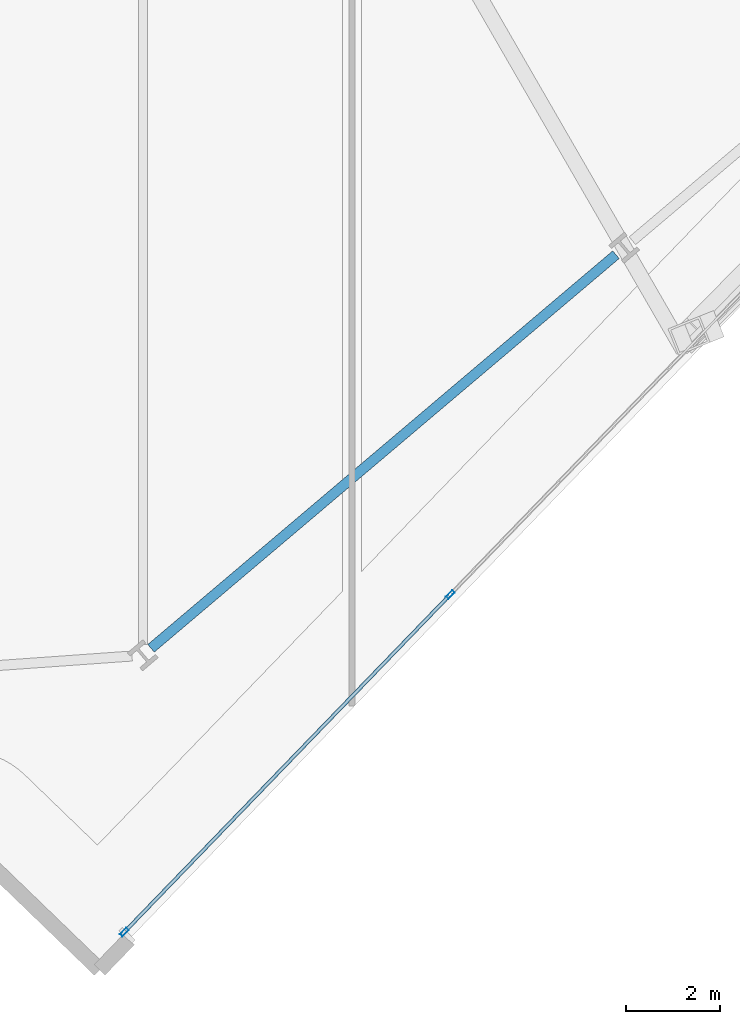
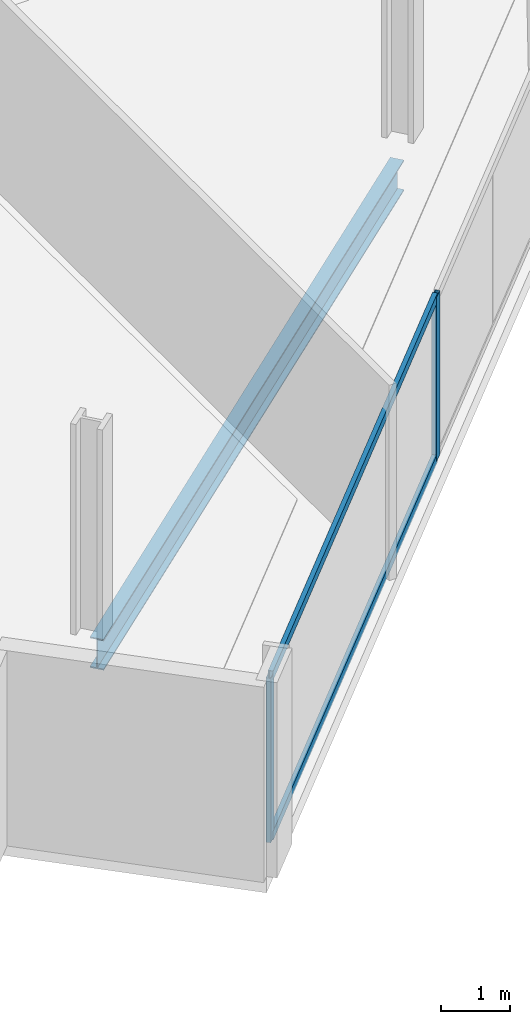
# One storey, part 7 of 33: 4 members, 1 beam, 1 element without a shape of its own.
"""IFC4 building model written with IfcOpenShell, lengths in metres."""

import ifcopenshell
import ifcopenshell.guid

model = None  # the IFC model being written
_history = None  # IfcOwnerHistory: only IFC2X3 demands one
_inside = {}  # id of a spatial element -> (the spatial element, [elements in it])
_under = {}  # id of a project, library or spatial element -> (it, [spatial elements below it])
_declared = {}  # id of a project -> (the project, [libraries it declares])
_typed = {}  # id of a type object -> (the type object, [elements of that type])
_made_of = {}  # id of a material, layer set ... -> (it, [elements and type objects made of it])


def new_model(schema):
    """Start an empty IFC model of exactly this schema.

    Asked for "IFC4X3", IfcOpenShell would pick the latest addendum, in which some entities
    have other attributes; the version numbers below select the first issue.
    IFC2X3 requires an IfcOwnerHistory on every rooted entity: one is made here for all.
    """
    global model, _history
    if schema == "IFC4X3":
        model = ifcopenshell.file(schema_version=(4, 3, 0, 0))
    else:
        model = ifcopenshell.file(schema=schema)
    _inside.clear()
    _under.clear()
    _declared.clear()
    _typed.clear()
    _made_of.clear()
    _history = None
    if model.schema == "IFC2X3":
        org = make("IfcOrganization", Name="unknown")
        user = make(
            "IfcPersonAndOrganization",
            ThePerson=make("IfcPerson", FamilyName="unknown"),
            TheOrganization=org,
        )
        app = make(
            "IfcApplication",
            ApplicationDeveloper=org,
            Version="unknown",
            ApplicationFullName="unknown",
            ApplicationIdentifier="unknown",
        )
        _history = make(
            "IfcOwnerHistory",
            OwningUser=user,
            OwningApplication=app,
            ChangeAction="ADDED",
            CreationDate=0,
        )
    return model


def make(cls, **values):
    """One entity of the class cls with the attributes given. An attribute that is None is left unset."""
    return model.create_entity(
        cls, **{name: value for name, value in values.items() if value is not None}
    )


def rooted(cls, **values):
    """An entity with a GlobalId (a new one), such as an element, a storey or a relation."""
    return make(cls, GlobalId=ifcopenshell.guid.new(), OwnerHistory=_history, **values)


def si_unit(unit_type, name, prefix=None):
    """IfcSIUnit, for example si_unit("LENGTHUNIT", "METRE", prefix="MILLI")."""
    return make("IfcSIUnit", UnitType=unit_type, Prefix=prefix, Name=name)


def assignment(units):
    """IfcUnitAssignment: the units of a project."""
    return None if units is None else make("IfcUnitAssignment", Units=units)


def point(xyz):
    """IfcCartesianPoint."""
    return None if xyz is None else make("IfcCartesianPoint", Coordinates=xyz)


def direction(xyz):
    """IfcDirection."""
    return None if xyz is None else make("IfcDirection", DirectionRatios=xyz)


def frame(location, z_axis=None, x_axis=None):
    """IfcAxis2Placement3D, a coordinate frame: its origin and axes. An axis left out is left unset."""
    return make(
        "IfcAxis2Placement3D",
        Location=point(location),
        Axis=direction(z_axis),
        RefDirection=direction(x_axis),
    )


def frame_2d(location, x_axis=None):
    """IfcAxis2Placement2D, a coordinate frame in the plane: its origin and x axis."""
    return make(
        "IfcAxis2Placement2D", Location=point(location), RefDirection=direction(x_axis)
    )


def origin():
    """The frame at (0, 0, 0) with its axes left unset."""
    return frame((0.0, 0.0, 0.0))


def origin_2d():
    """The frame at (0, 0) in the plane with its x axis left unset."""
    return frame_2d((0.0, 0.0))


def place(relative_to, where):
    """IfcLocalPlacement: puts the frame where relative to a parent placement (None: the world)."""
    return make(
        "IfcLocalPlacement", PlacementRelTo=relative_to, RelativePlacement=where
    )


def context(
    kind, dimensions, precision=None, world=None, true_north=None, identifier=None
):
    """IfcGeometricRepresentationContext, for example the 3D "Model" context."""
    return make(
        "IfcGeometricRepresentationContext",
        ContextIdentifier=identifier,
        ContextType=kind,
        CoordinateSpaceDimension=dimensions,
        Precision=precision,
        WorldCoordinateSystem=world,
        TrueNorth=true_north,
    )


def subcontext(parent, identifier, kind, view, scale=None):
    """IfcGeometricRepresentationSubContext, for example "Body" below "Model"."""
    return make(
        "IfcGeometricRepresentationSubContext",
        ContextIdentifier=identifier,
        ContextType=kind,
        ParentContext=parent,
        TargetScale=scale,
        TargetView=view,
    )


def project(units=None, contexts=None):
    """IfcProject with its units and contexts."""
    return rooted(
        "IfcProject",
        Name="project",
        RepresentationContexts=contexts,
        UnitsInContext=assignment(units),
    )


def spatial(cls, under=None, at=None, **own):
    """A site, building, storey or space (cls), placed at a placement, below another one or the project."""
    s = rooted(cls, ObjectPlacement=at, **own)
    if under is not None:
        _under.setdefault(under.id(), (under, []))[1].append(s)
    return s


def profile(cls, at=None, kind="AREA", **sizes):
    """A parametric profile (cls). Its sizes go by their IFC names, for example OverallWidth=200.0."""
    return make(cls, ProfileType=kind, Position=at, **sizes)


def hollow_rectangle(**sizes):
    """IfcRectangleHollowProfileDef."""
    return profile("IfcRectangleHollowProfileDef", **sizes)


def i_section(**sizes):
    """IfcIShapeProfileDef."""
    return profile("IfcIShapeProfileDef", **sizes)


def extrude(swept, where, along, depth):
    """IfcExtrudedAreaSolid: the profile swept, set in the frame where, extruded along a direction by depth."""
    return make(
        "IfcExtrudedAreaSolid",
        SweptArea=swept,
        Position=where,
        ExtrudedDirection=direction(along),
        Depth=depth,
    )


def shape(context_of_items, identifier, shape_type, items):
    """IfcShapeRepresentation: the items that make up one representation, for example the "Body"."""
    return make(
        "IfcShapeRepresentation",
        ContextOfItems=context_of_items,
        RepresentationIdentifier=identifier,
        RepresentationType=shape_type,
        Items=items,
    )


def material(Name=None, Category=None):
    """IfcMaterial."""
    return make("IfcMaterial", Name=Name, Category=Category)


def material_profile(
    of_material, cross_section, Name=None, Category=None, Priority=None
):
    """IfcMaterialProfile: a cross section and its material."""
    return make(
        "IfcMaterialProfile",
        Name=Name,
        Material=of_material,
        Profile=cross_section,
        Priority=Priority,
        Category=Category,
    )


def profile_set(profiles, Name=None, composite=None):
    """IfcMaterialProfileSet."""
    return make(
        "IfcMaterialProfileSet",
        Name=Name,
        MaterialProfiles=profiles,
        CompositeProfile=composite,
    )


def made_of(thing, what):
    """Note that an element or type object is made of a material, layer set ...; save() writes the relation."""
    if what is not None:
        _made_of.setdefault(what.id(), (what, []))[1].append(thing)
    return thing


def type_object(cls, material=None, **own):
    """A type object (cls), such as IfcWallType, which elements share."""
    return made_of(rooted(cls, **own), material)


def element(
    cls,
    number,
    at=None,
    inside=None,
    cuts=None,
    type_object=None,
    material=None,
    context=None,
    identifier="Body",
    shape_type=None,
    held_by="IfcProductDefinitionShape",
    body=None,
    shapes=None,
    **own,
):
    """One element of the class cls, such as IfcWall. Its Tag is "e" and its number.

    at: its placement. inside: the storey or other place that contains it. cuts: it is an
    opening in that element (IfcRelVoidsElement). A single representation is given by context,
    identifier, shape_type and body (its items); several are given by shapes. held_by: the class
    of the entity that holds the representations. save() writes the other relations.
    """
    e = rooted(cls, Tag="e%d" % number, ObjectPlacement=at, **own)
    if body is not None:
        shapes = [shape(context, identifier, shape_type, body)]
    if shapes is not None:
        e.Representation = make(held_by, Representations=shapes)
    if inside is not None:
        _inside.setdefault(inside.id(), (inside, []))[1].append(e)
    if cuts is not None:
        rooted(
            "IfcRelVoidsElement", RelatingBuildingElement=cuts, RelatedOpeningElement=e
        )
    if type_object is not None:
        _typed.setdefault(type_object.id(), (type_object, []))[1].append(e)
    return made_of(e, material)


def aggregate(whole, parts):
    """IfcRelAggregates: a whole, such as a stair, and the parts it consists of."""
    return rooted("IfcRelAggregates", RelatingObject=whole, RelatedObjects=parts)


def save(model, path):
    """Write the relations noted so far, then the file.

    IfcRelAggregates (storeys below a building ...), IfcRelContainedInSpatialStructure (elements
    in a storey), IfcRelDefinesByType, IfcRelAssociatesMaterial and IfcRelDeclares: one each for
    every whole, place, type object, material and project.
    """
    for whole, parts in _under.values():
        aggregate(whole, parts)
    for where, things in _inside.values():
        rooted(
            "IfcRelContainedInSpatialStructure",
            RelatedElements=things,
            RelatingStructure=where,
        )
    for kind, things in _typed.values():
        rooted("IfcRelDefinesByType", RelatedObjects=things, RelatingType=kind)
    for what, things in _made_of.values():
        rooted("IfcRelAssociatesMaterial", RelatedObjects=things, RelatingMaterial=what)
    for by, libraries in _declared.values():
        rooted("IfcRelDeclares", RelatingContext=by, RelatedDefinitions=libraries)
    model.write(path)


model = new_model("IFC4")

# Units and contexts
model_context = context("Model", 3, precision=1e-05, world=origin(), true_north=direction((0.0, 1.0)))
body_context = subcontext(model_context, "Body", "Model", "MODEL_VIEW")
ifc_project = project(units=[si_unit("LENGTHUNIT", "METRE"), si_unit("AREAUNIT", "SQUARE_METRE"), si_unit("VOLUMEUNIT", "CUBIC_METRE"), si_unit("PLANEANGLEUNIT", "RADIAN"), si_unit("MASSUNIT", "GRAM", prefix="KILO")], contexts=[model_context])

# Site, building, storey
site_placement = place(None, origin())
site = spatial("IfcSite", under=ifc_project, at=site_placement, CompositionType="ELEMENT")
building_placement = place(site_placement, origin())
building = spatial("IfcBuilding", under=site, at=building_placement, Name="Haldenkirk Collegiate Tower", CompositionType="ELEMENT")
storey_placement = place(building_placement, frame((0.0, 0.0, 181.949951171875)))
storey = spatial("IfcBuildingStorey", under=building, at=storey_placement, Name="L45", CompositionType="ELEMENT", Elevation=181.949951171875)

# Beam
ifc_material_1 = material(Name="Steel ASTM A992 Grade 50", Category="steel")
ifc_material_profile_1 = material_profile(ifc_material_1, i_section(OverallWidth=0.2119140625, OverallDepth=0.5439453125, WebThickness=0.01318359375, FlangeThickness=0.021240234375, at=origin_2d()), Name="W21X83")
ifc_profile_set_1 = profile_set([ifc_material_profile_1], Name="Steel ASTM A992 Grade 50")
beam_type = type_object("IfcBeamType", Name="BM-SPANDREL-W21X83", PredefinedType="SPANDREL", material=ifc_profile_set_1)
beam_placement = place(storey_placement, frame((39.743408203125, 1.261474609375, -0.56201171875), z_axis=(0.763233335078, 0.646122957514, 0.0), x_axis=(-0.646122957514, 0.763233335078, 0.0)))
element("IfcBeam", 1, at=beam_placement, inside=storey, type_object=beam_type, Name="L45 perimeter spandrel beam 02", PredefinedType="SPANDREL", context=body_context, shape_type="SweptSolid", body=[
    extrude(i_section(OverallWidth=0.2119140625, OverallDepth=0.5439453125, WebThickness=0.01318359375, FlangeThickness=0.021240234375, at=origin_2d()), origin(), (0.0, 0.0, 1.0), 12.898193359375),
])

# Curtain wall, members
ifc_material_2 = material(Name="Anodised architectural bronze aluminium", Category="aluminium")
curtain_wall_type = type_object("IfcCurtainWallType", Name="CW-SYS2-CONCAVE", PredefinedType="USERDEFINED", material=ifc_material_2)
curtain_wall_placement = place(storey_placement, origin())
curtain_wall = element("IfcCurtainWall", 2, at=curtain_wall_placement, inside=storey, type_object=curtain_wall_type, Name="L45 South concave recessed bronze-anodised curtain wall", ObjectType="UNITISED CURTAIN WALL", PredefinedType="USERDEFINED")
ifc_material_profile_2 = material_profile(ifc_material_2, hollow_rectangle(XDim=0.074951171875, YDim=0.18994140625, WallThickness=0.0048828125, at=origin_2d()), Name="CW-MUL-02")
ifc_profile_set_2 = profile_set([ifc_material_profile_2], Name="Anodised architectural bronze aluminium")
member_type_1 = type_object("IfcMemberType", Name="CW-MUL-02", PredefinedType="MULLION", material=ifc_profile_set_2)
member_1_placement = place(storey_placement, frame((46.07958984375, 2.3994140625, 0.0), z_axis=(0.0, 0.0, 1.0), x_axis=(0.719339919409, -0.694658247158, 0.0)))
member_1 = element("IfcMember", 3, at=member_1_placement, type_object=member_type_1, Name="CW-02 mullion 4", PredefinedType="MULLION", context=body_context, shape_type="SweptSolid", body=[
    extrude(hollow_rectangle(XDim=0.074951171875, YDim=0.18994140625, WallThickness=0.0048828125, at=origin_2d()), origin(), (0.0, 0.0, 1.0), 2.9111328125),
])
member_2_placement = place(storey_placement, frame((39.17626953125, -4.7490234375, 0.0), z_axis=(0.0, 0.0, 1.0), x_axis=(0.719339919409, -0.694658247158, 0.0)))
member_2 = element("IfcMember", 4, at=member_2_placement, type_object=member_type_1, Name="CW-02 mullion 5", PredefinedType="MULLION", context=body_context, shape_type="SweptSolid", body=[
    extrude(hollow_rectangle(XDim=0.074951171875, YDim=0.18994140625, WallThickness=0.0048828125, at=origin_2d()), origin(), (0.0, 0.0, 1.0), 2.9111328125),
])
ifc_material_profile_3 = material_profile(ifc_material_2, hollow_rectangle(XDim=0.074951171875, YDim=0.159912109375, WallThickness=0.0048828125, at=origin_2d()), Name="CW-TRN-02")
ifc_profile_set_3 = profile_set([ifc_material_profile_3], Name="Anodised architectural bronze aluminium")
member_type_2 = type_object("IfcMemberType", Name="CW-TRN-02", PredefinedType="USERDEFINED", material=ifc_profile_set_3)
member_3_placement = place(storey_placement, frame((46.053466796875, 2.372314453125, 0.03759765625), z_axis=(-0.694659009545, -0.719339183179, 0.0), x_axis=(0.719339183179, -0.694659009545, 0.0)))
member_3 = element("IfcMember", 5, at=member_3_placement, type_object=member_type_2, Name="CW-02 transom 4.1", ObjectType="TRANSOM", PredefinedType="USERDEFINED", context=body_context, shape_type="SweptSolid", body=[
    extrude(hollow_rectangle(XDim=0.074951171875, YDim=0.159912109375, WallThickness=0.0048828125, at=origin_2d()), origin(), (0.0, 0.0, 1.0), 9.862548828125),
])
member_4_placement = place(storey_placement, frame((46.053466796875, 2.372314453125, 2.87353515625), z_axis=(-0.694659009545, -0.719339183179, 0.0), x_axis=(0.719339183179, -0.694659009545, 0.0)))
member_4 = element("IfcMember", 6, at=member_4_placement, type_object=member_type_2, Name="CW-02 transom 4.2", ObjectType="TRANSOM", PredefinedType="USERDEFINED", context=body_context, shape_type="SweptSolid", body=[
    extrude(hollow_rectangle(XDim=0.074951171875, YDim=0.159912109375, WallThickness=0.0048828125, at=origin_2d()), origin(), (0.0, 0.0, 1.0), 9.862548828125),
])
aggregate(curtain_wall, [member_1, member_2, member_3, member_4])

save(model, "model.ifc")
